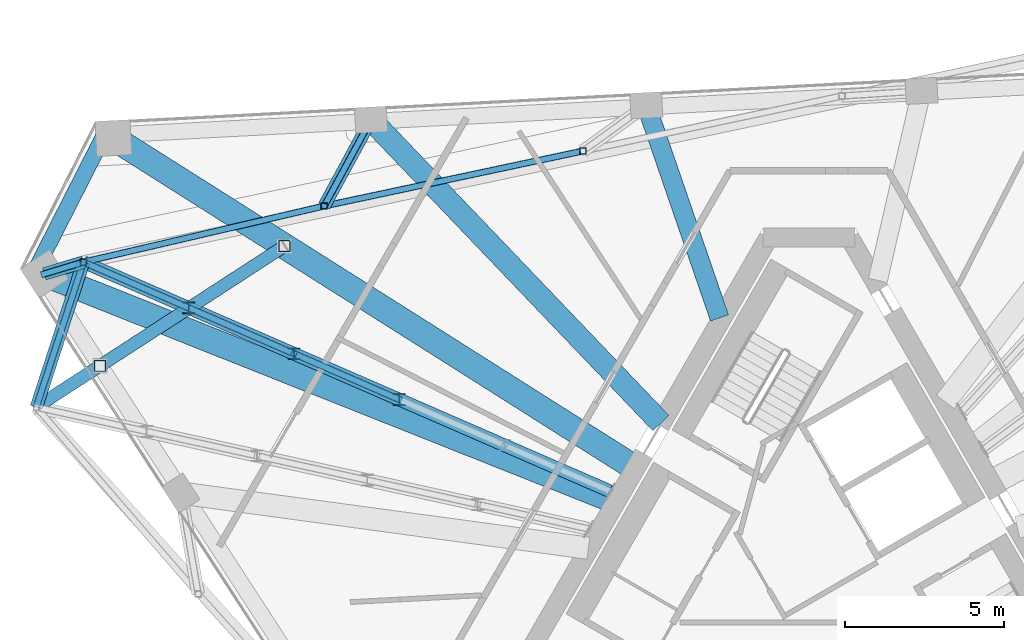
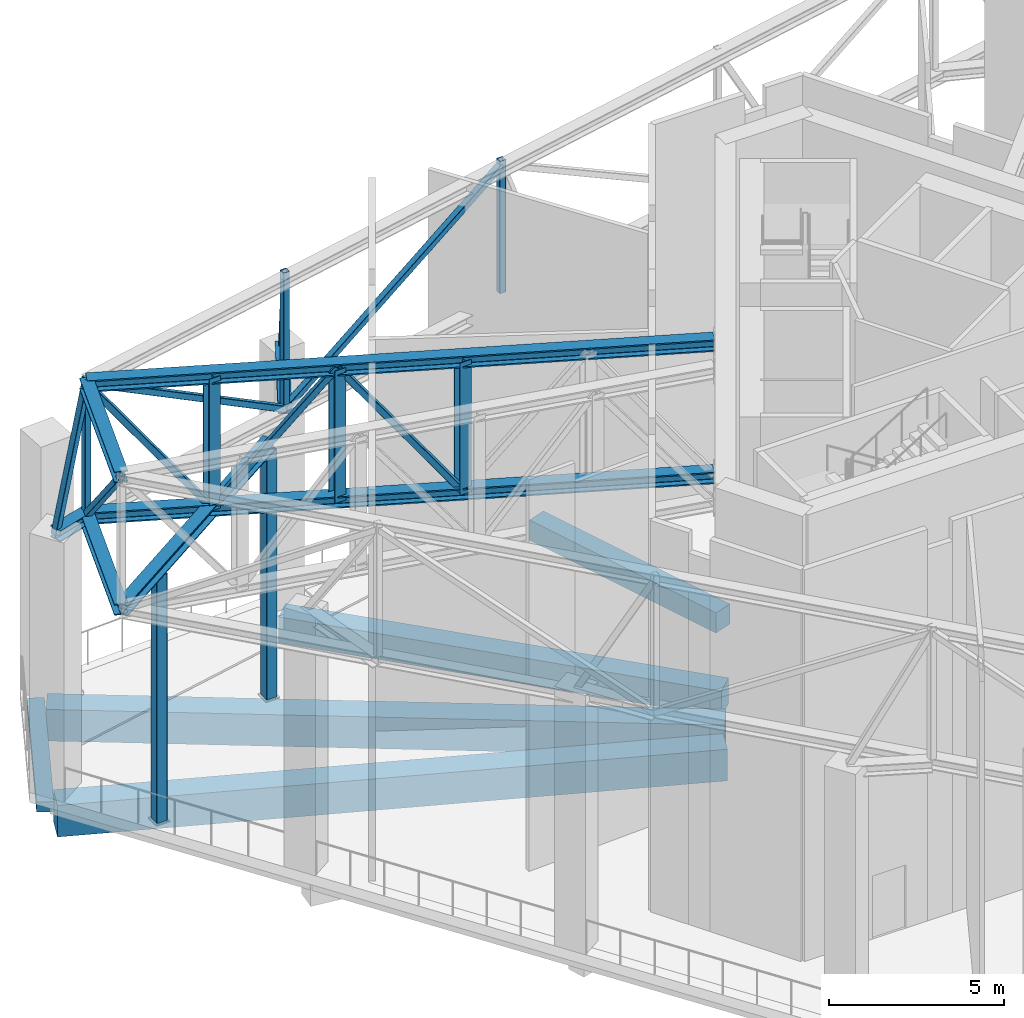
# One storey, part 11 of 23: 23 members, 5 beams.
"""IFC4 building model written with IfcOpenShell, lengths in metres."""

from ifc_helpers import new_model, si_unit, direction, frame, origin, origin_2d, place, context, subcontext, project, spatial, rectangle, hollow_rectangle, i_section, extrude, material, material_profile, profile_set, type_object, element, save


model = new_model("IFC4")

# Units and contexts
model_context = context("Model", 3, precision=1e-05, world=origin(), true_north=direction((0.0, 1.0)))
body_context = subcontext(model_context, "Body", "Model", "MODEL_VIEW")
ifc_project = project(units=[si_unit("LENGTHUNIT", "METRE"), si_unit("AREAUNIT", "SQUARE_METRE"), si_unit("VOLUMEUNIT", "CUBIC_METRE"), si_unit("PLANEANGLEUNIT", "RADIAN"), si_unit("MASSUNIT", "GRAM", prefix="KILO")], contexts=[model_context])

# Site, building, storey
site_placement = place(None, origin())
site = spatial("IfcSite", under=ifc_project, at=site_placement, CompositionType="ELEMENT")
building_placement = place(site_placement, origin())
building = spatial("IfcBuilding", under=site, at=building_placement, Name="Tramontana Tower", CompositionType="ELEMENT")
storey_placement = place(building_placement, frame((0.0, 0.0, 306.39990234375)))
storey = spatial("IfcBuildingStorey", under=building, at=storey_placement, Name="L72", CompositionType="ELEMENT", Elevation=306.39990234375)

# Members
ifc_material_1 = material(Name="Steel ASTM A500 Grade C", Category="steel")
ifc_material_profile_1 = material_profile(ifc_material_1, hollow_rectangle(XDim=0.203125, YDim=0.203125, WallThickness=0.0087890625, InnerFilletRadius=0.0087890625, OuterFilletRadius=0.017822265625, at=origin_2d()), Name="HSS8X8X3/8")
ifc_profile_set_1 = profile_set([ifc_material_profile_1], Name="Steel ASTM A500 Grade C")
member_type_1 = type_object("IfcMemberType", Name="Belt truss HSS8X8X3/8 brace", PredefinedType="BRACE", material=ifc_profile_set_1)
member_1_placement = place(storey_placement, frame((-7.1015625, 13.416748046875, 13.456298828125), z_axis=(-0.855328764764, -0.181824766836, -0.485131382548), x_axis=(0.207932507583, -0.978143175762, 0.0)))
element("IfcMember", 1, at=member_1_placement, inside=storey, type_object=member_type_1, Name="Belt truss diagonal S2.4", PredefinedType="BRACE", context=body_context, shape_type="SweptSolid", body=[
    extrude(hollow_rectangle(XDim=0.203125, YDim=0.203125, WallThickness=0.0087890625, InnerFilletRadius=0.0087890625, OuterFilletRadius=0.017822265625, at=origin_2d()), origin(), (0.0, 0.0, 1.0), 9.5078125),
])
member_2_placement = place(storey_placement, frame((-15.23388671875, 11.68798828125, 8.84375), z_axis=(-0.83736715186, -0.194947766131, 0.510697191558), x_axis=(0.226746555222, -0.973953797515, 0.0)))
element("IfcMember", 2, at=member_2_placement, inside=storey, type_object=member_type_1, Name="Belt truss diagonal S2.5", PredefinedType="BRACE", context=body_context, shape_type="SweptSolid", body=[
    extrude(hollow_rectangle(XDim=0.203125, YDim=0.203125, WallThickness=0.0087890625, InnerFilletRadius=0.0087890625, OuterFilletRadius=0.017822265625, at=origin_2d()), origin(), (0.0, 0.0, 1.0), 9.031982421875),
])
member_3_placement = place(storey_placement, frame((-22.796875, 9.92724609375, 8.84375), z_axis=(-0.222661338376, -0.685306604829, 0.693380693249), x_axis=(0.951059891484, -0.309006606418, 0.0)))
element("IfcMember", 3, at=member_3_placement, inside=storey, type_object=member_type_1, Name="Belt truss diagonal K0.1", PredefinedType="BRACE", context=body_context, shape_type="SweptSolid", body=[
    extrude(hollow_rectangle(XDim=0.203125, YDim=0.203125, WallThickness=0.0087890625, InnerFilletRadius=0.0087890625, OuterFilletRadius=0.017822265625, at=origin_2d()), origin(), (0.0, 0.0, 1.0), 6.65234375),
])
ifc_material_2 = material(Name="Steel ASTM A500 Grade C", Category="steel")
ifc_material_profile_2 = material_profile(ifc_material_2, hollow_rectangle(XDim=0.203125, YDim=0.203125, WallThickness=0.0087890625, InnerFilletRadius=0.0087890625, OuterFilletRadius=0.017822265625, at=origin_2d()), Name="HSS8X8X3/8")
ifc_profile_set_2 = profile_set([ifc_material_profile_2], Name="Steel ASTM A500 Grade C")
member_type_2 = type_object("IfcMemberType", Name="Belt truss HSS8X8X3/8 post", PredefinedType="POST", material=ifc_profile_set_2)
for number, where, z_axis, x_axis, name in (
    (4, (-7.1015625, 13.416748046875, 9.037353515625), (0.0, 0.0, 1.0), (1.0, 0.0, 0.0), "Belt truss post C8F11"),
    (5, (-15.23388671875, 11.68798828125, 9.037353515625), (0.0, 0.0, 1.0), (1.0, 0.0, 0.0), "Belt truss post C8F12"),
    (6, (-22.796875, 9.92724609375, 9.037353515625), (0.0, 0.0, 1.0), (1.0, 0.0, 0.0), "Belt truss post C8K6"),
):
    element("IfcMember", number, at=place(storey_placement, frame(where, z_axis=z_axis, x_axis=x_axis)), inside=storey, type_object=member_type_2, Name=name, PredefinedType="POST", context=body_context, shape_type="SweptSolid", body=[
        extrude(hollow_rectangle(XDim=0.203125, YDim=0.203125, WallThickness=0.0087890625, InnerFilletRadius=0.0087890625, OuterFilletRadius=0.017822265625, at=origin_2d()), origin(), (0.0, 0.0, 1.0), 4.61279296875),
    ])
ifc_material_3 = material(Name="Steel ASTM A992 Grade 50", Category="steel")
ifc_material_profile_3 = material_profile(ifc_material_3, i_section(OverallWidth=0.39697265625, OverallDepth=0.387451171875, WebThickness=0.020751953125, FlangeThickness=0.033447265625, FilletRadius=0.01513671875, at=origin_2d()), Name="W14X176")
ifc_profile_set_3 = profile_set([ifc_material_profile_3], Name="Steel ASTM A992 Grade 50")
member_type_3 = type_object("IfcMemberType", Name="Belt truss W14X176 chord", PredefinedType="CHORD", material=ifc_profile_set_3)
for number, where, z_axis, x_axis, name in (
    (7, (-22.796875, 9.92724609375, 8.84375), (-0.309006606418, -0.951059891484, 0.0), (0.951059891484, -0.309006606418, 0.0), "Belt truss bottom chord K0"),
    (8, (-22.796875, 9.92724609375, 13.456298828125), (-0.309006606418, -0.951059891484, 0.0), (0.951059891484, -0.309006606418, 0.0), "Belt truss top chord K0"),
):
    element("IfcMember", number, at=place(storey_placement, frame(where, z_axis=z_axis, x_axis=x_axis)), inside=storey, type_object=member_type_3, Name=name, PredefinedType="CHORD", context=body_context, shape_type="SweptSolid", body=[
        extrude(i_section(OverallWidth=0.39697265625, OverallDepth=0.387451171875, WebThickness=0.020751953125, FlangeThickness=0.033447265625, FilletRadius=0.01513671875, at=origin_2d()), origin(), (0.0, 0.0, 1.0), 4.79345703125),
    ])
ifc_material_4 = material(Name="Steel ASTM A500 Grade C", Category="steel")
ifc_material_profile_4 = material_profile(ifc_material_4, hollow_rectangle(XDim=0.203125, YDim=0.203125, WallThickness=0.0087890625, InnerFilletRadius=0.0087890625, OuterFilletRadius=0.017822265625, at=origin_2d()), Name="HSS8X8X3/8")
ifc_profile_set_4 = profile_set([ifc_material_profile_4], Name="Steel ASTM A500 Grade C")
member_type_4 = type_object("IfcMemberType", Name="Outrigger truss HSS8X8X3/8 brace", PredefinedType="BRACE", material=ifc_profile_set_4)
for number, where, z_axis, x_axis, name in (
    (9, (-12.87646484375, 5.610107421875, 8.84375), (-0.564756858785, 0.24580933864, 0.787799123821), (-0.399085024969, -0.916913923357, 0.0), "Outrigger truss diagonal 5.3"),
    (10, (-16.18310546875, 7.04931640625, 13.456298828125), (-0.564791044378, 0.245764371765, -0.787788645362), (-0.399003336845, -0.916949473628, 0.0), "Outrigger truss diagonal 5.4"),
    (11, (-19.489990234375, 8.48828125, 8.84375), (-0.564791044378, 0.245764371765, 0.787788645362), (-0.399003336845, -0.916949473628, 0.0), "Outrigger truss diagonal 5.5"),
):
    element("IfcMember", number, at=place(storey_placement, frame(where, z_axis=z_axis, x_axis=x_axis)), inside=storey, type_object=member_type_4, Name=name, PredefinedType="BRACE", context=body_context, shape_type="SweptSolid", body=[
        extrude(hollow_rectangle(XDim=0.203125, YDim=0.203125, WallThickness=0.0087890625, InnerFilletRadius=0.0087890625, OuterFilletRadius=0.017822265625, at=origin_2d()), origin(), (0.0, 0.0, 1.0), 5.85498046875),
    ])
ifc_material_5 = material(Name="Steel ASTM A992 Grade 50", Category="steel")
ifc_material_profile_5 = material_profile(ifc_material_5, i_section(OverallWidth=0.4033203125, OverallDepth=0.406494140625, WebThickness=0.027099609375, FlangeThickness=0.04443359375, FilletRadius=0.01513671875, at=origin_2d()), Name="W14X233")
ifc_profile_set_5 = profile_set([ifc_material_profile_5], Name="Steel ASTM A992 Grade 50")
member_type_5 = type_object("IfcMemberType", Name="Outrigger truss W14X233 chord", PredefinedType="CHORD", material=ifc_profile_set_5)
for number, where, z_axis, x_axis, name in (
    (12, (-6.262939453125, 2.732177734375, 8.84375), (-0.916940208616, 0.39902462809, 0.0), (-0.39902462809, -0.916940208616, 0.0), "Outrigger truss bottom chord 5"),
    (13, (-6.262939453125, 2.732177734375, 13.456298828125), (-0.916940208616, 0.39902462809, 0.0), (-0.39902462809, -0.916940208616, 0.0), "Outrigger truss top chord 5"),
):
    element("IfcMember", number, at=place(storey_placement, frame(where, z_axis=z_axis, x_axis=x_axis)), inside=storey, type_object=member_type_5, Name=name, PredefinedType="CHORD", context=body_context, shape_type="SweptSolid", body=[
        extrude(i_section(OverallWidth=0.4033203125, OverallDepth=0.406494140625, WebThickness=0.027099609375, FlangeThickness=0.04443359375, FilletRadius=0.01513671875, at=origin_2d()), origin(), (0.0, 0.0, 1.0), 18.03173828125),
    ])
ifc_material_6 = material(Name="Steel ASTM A992 Grade 50", Category="steel")
ifc_material_profile_6 = material_profile(ifc_material_6, i_section(OverallWidth=0.368408203125, OverallDepth=0.355712890625, WebThickness=0.01123046875, FlangeThickness=0.017578125, FilletRadius=0.01513671875, at=origin_2d()), Name="W14X90")
ifc_profile_set_6 = profile_set([ifc_material_profile_6], Name="Steel ASTM A992 Grade 50")
member_type_6 = type_object("IfcMemberType", Name="Outrigger truss W14X90 post", PredefinedType="POST", material=ifc_profile_set_6)
for number, where, z_axis, x_axis, name in (
    (14, (-12.87646484375, 5.610107421875, 8.84375), (0.0, 0.0, 1.0), (1.0, 0.0, 0.0), "Outrigger truss post 5.2"),
    (15, (-16.18310546875, 7.04931640625, 8.84375), (0.0, 0.0, 1.0), (1.0, 0.0, 0.0), "Outrigger truss post 5.3"),
    (16, (-19.489990234375, 8.48828125, 8.84375), (0.0, 0.0, 1.0), (1.0, 0.0, 0.0), "Outrigger truss post 5.4"),
):
    element("IfcMember", number, at=place(storey_placement, frame(where, z_axis=z_axis, x_axis=x_axis)), inside=storey, type_object=member_type_6, Name=name, PredefinedType="POST", context=body_context, shape_type="SweptSolid", body=[
        extrude(i_section(OverallWidth=0.368408203125, OverallDepth=0.355712890625, WebThickness=0.01123046875, FlangeThickness=0.017578125, FilletRadius=0.01513671875, at=origin_2d()), origin(), (0.0, 0.0, 1.0), 4.612548828125),
    ])

# Beams
ifc_material_7 = material(Name="Concrete 40 MPa", Category="concrete")
ifc_material_profile_7 = material_profile(ifc_material_7, rectangle(XDim=0.5, YDim=0.35009765625, at=origin_2d()), Name="RC EDGE BEAM 500X350 40 MPa")
ifc_profile_set_7 = profile_set([ifc_material_profile_7], Name="Concrete 40 MPa")
beam_type_1 = type_object("IfcBeamType", Name="RC EDGE BEAM 500X350 40 MPa", PredefinedType="SPANDREL", material=ifc_profile_set_7)
beam_1_placement = place(storey_placement, frame((-22.03125, 14.141357421875, -0.52490234375), z_axis=(-0.453966603753, -0.891018699398, 0.0), x_axis=(0.891018699398, -0.453966603753, 0.0)))
element("IfcBeam", 17, at=beam_1_placement, inside=storey, type_object=beam_type_1, Name="Spandrel beam K0 L72", PredefinedType="SPANDREL", context=body_context, shape_type="SweptSolid", body=[
    extrude(rectangle(XDim=0.5, YDim=0.35009765625, at=origin_2d()), origin(), (0.0, 0.0, 1.0), 5.1962890625),
])
ifc_material_8 = material(Name="Concrete 40 MPa", Category="concrete")
ifc_material_profile_8 = material_profile(ifc_material_8, rectangle(XDim=0.60009765625, YDim=0.699951171875, at=origin_2d()), Name="RC GIRDER 600X700 40 MPa")
ifc_profile_set_8 = profile_set([ifc_material_profile_8], Name="Concrete 40 MPa")
beam_type_2 = type_object("IfcBeamType", Name="RC GIRDER 600X700 40 MPa", PredefinedType="BEAM", material=ifc_profile_set_8)
beam_2_placement = place(storey_placement, frame((-5.114501953125, 14.852783203125, -0.699951171875), z_axis=(0.325583843266, -0.945513173364, 0.0), x_axis=(0.945513173364, 0.325583843266, 0.0)))
element("IfcBeam", 18, at=beam_2_placement, inside=storey, type_object=beam_type_2, Name="Radial girder C7F11 L72", PredefinedType="BEAM", context=body_context, shape_type="SweptSolid", body=[
    extrude(rectangle(XDim=0.60009765625, YDim=0.699951171875, at=origin_2d()), origin(), (0.0, 0.0, 1.0), 7.065185546875),
])
ifc_material_9 = material(Name="Concrete 40 MPa", Category="concrete")
ifc_material_profile_9 = material_profile(ifc_material_9, rectangle(XDim=0.699951171875, YDim=0.89990234375, at=origin_2d()), Name="RC GIRDER 700X900 40 MPa")
ifc_profile_set_9 = profile_set([ifc_material_profile_9], Name="Concrete 40 MPa")
beam_type_3 = type_object("IfcBeamType", Name="RC GIRDER 700X900 40 MPa", PredefinedType="BEAM", material=ifc_profile_set_9)
beam_3_placement = place(storey_placement, frame((-13.762939453125, 14.3994140625, -0.7998046875), z_axis=(0.69094809316, -0.722904373039, 0.0), x_axis=(0.722904373039, 0.69094809316, 0.0)))
element("IfcBeam", 19, at=beam_3_placement, inside=storey, type_object=beam_type_3, Name="Radial girder C7F12 L72", PredefinedType="BEAM", context=body_context, shape_type="SweptSolid", body=[
    extrude(rectangle(XDim=0.699951171875, YDim=0.89990234375, at=origin_2d()), origin(), (0.0, 0.0, 1.0), 13.186279296875),
])
ifc_material_10 = material(Name="Concrete 40 MPa", Category="concrete")
ifc_material_profile_10 = material_profile(ifc_material_10, rectangle(XDim=0.800048828125, YDim=1.10009765625, at=origin_2d()), Name="RC GIRDER 800X1100 40 MPa")
ifc_profile_set_10 = profile_set([ifc_material_profile_10], Name="Concrete 40 MPa")
beam_type_4 = type_object("IfcBeamType", Name="RC GIRDER 800X1100 40 MPa", PredefinedType="BEAM", material=ifc_profile_set_10)
beam_4_placement = place(storey_placement, frame((-24.030517578125, 9.55419921875, -0.89990234375), z_axis=(0.929246961318, -0.369459178912, 0.0), x_axis=(0.369459178912, 0.929246961318, 0.0)))
element("IfcBeam", 20, at=beam_4_placement, inside=storey, type_object=beam_type_4, Name="Radial girder C7K1 L72", PredefinedType="BEAM", context=body_context, shape_type="SweptSolid", body=[
    extrude(rectangle(XDim=0.800048828125, YDim=1.10009765625, at=origin_2d()), origin(), (0.0, 0.0, 1.0), 19.33837890625),
])
beam_5_placement = place(storey_placement, frame((-21.85400390625, 13.8251953125, -0.89990234375), z_axis=(0.845090437102, -0.53462337502, 0.0), x_axis=(0.53462337502, 0.845090437102, 0.0)))
element("IfcBeam", 21, at=beam_5_placement, inside=storey, type_object=beam_type_4, Name="Radial girder C7K6 L72", PredefinedType="BEAM", context=body_context, shape_type="SweptSolid", body=[
    extrude(rectangle(XDim=0.800048828125, YDim=1.10009765625, at=origin_2d()), origin(), (0.0, 0.0, 1.0), 19.404296875),
])

# Members
ifc_material_11 = material(Name="Steel ASTM A500 Grade C", Category="steel")
ifc_material_profile_11 = material_profile(ifc_material_11, hollow_rectangle(XDim=0.355712890625, YDim=0.355712890625, WallThickness=0.01171875, InnerFilletRadius=0.01171875, OuterFilletRadius=0.023681640625, at=origin_2d()), Name="HSS14X14X1/2")
ifc_profile_set_11 = profile_set([ifc_material_profile_11], Name="Steel ASTM A500 Grade C")
member_type_7 = type_object("IfcMemberType", Name="Transfer truss HSS14X14X1/2 post", PredefinedType="POST", material=ifc_profile_set_11)
for number, where, z_axis, x_axis, name in (
    (22, (-22.275634765625, 6.668701171875, 0.0400390625), (0.0, 0.0, 1.0), (1.0, 0.0, 0.0), "Transfer truss post C8K1.1"),
    (23, (-16.4853515625, 10.428955078125, 0.0400390625), (0.0, 0.0, 1.0), (1.0, 0.0, 0.0), "Transfer truss post C8K1.2"),
):
    element("IfcMember", number, at=place(storey_placement, frame(where, z_axis=z_axis, x_axis=x_axis)), inside=storey, type_object=member_type_7, Name=name, PredefinedType="POST", context=body_context, shape_type="SweptSolid", body=[
        extrude(hollow_rectangle(XDim=0.355712890625, YDim=0.355712890625, WallThickness=0.01171875, InnerFilletRadius=0.01171875, OuterFilletRadius=0.023681640625, at=origin_2d()), origin(), (0.0, 0.0, 1.0), 8.610107421875),
    ])
ifc_material_12 = material(Name="Steel ASTM A500 Grade C", Category="steel")
ifc_material_profile_12 = material_profile(ifc_material_12, hollow_rectangle(XDim=0.203125, YDim=0.203125, WallThickness=0.0087890625, InnerFilletRadius=0.0087890625, OuterFilletRadius=0.017822265625, at=origin_2d()), Name="HSS8X8X3/8")
ifc_profile_set_12 = profile_set([ifc_material_profile_12], Name="Steel ASTM A500 Grade C")
member_type_8 = type_object("IfcMemberType", Name="Transfer truss HSS8X8X3/8 brace", PredefinedType="BRACE", material=ifc_profile_set_12)
member_4_placement = place(storey_placement, frame((-13.762939453125, 14.3994140625, 8.84375), z_axis=(-0.265084505712, -0.488635439077, 0.831243413513), x_axis=(0.878985190151, -0.476849069932, 0.0)))
element("IfcMember", 24, at=member_4_placement, inside=storey, type_object=member_type_8, Name="Transfer truss strut C8F12 diagonal", PredefinedType="BRACE", context=body_context, shape_type="SweptSolid", body=[
    extrude(hollow_rectangle(XDim=0.203125, YDim=0.203125, WallThickness=0.0087890625, InnerFilletRadius=0.0087890625, OuterFilletRadius=0.017822265625, at=origin_2d()), origin(), (0.0, 0.0, 1.0), 5.549072265625),
])
member_5_placement = place(storey_placement, frame((-24.030517578125, 9.55419921875, 8.84375), z_axis=(0.257587276288, 0.077893005772, 0.963110312865), x_axis=(-0.289450047167, 0.957193120637, 0.0)))
element("IfcMember", 25, at=member_5_placement, inside=storey, type_object=member_type_8, Name="Transfer truss strut C8K6 diagonal", PredefinedType="BRACE", context=body_context, shape_type="SweptSolid", body=[
    extrude(hollow_rectangle(XDim=0.203125, YDim=0.203125, WallThickness=0.0087890625, InnerFilletRadius=0.0087890625, OuterFilletRadius=0.017822265625, at=origin_2d()), origin(), (0.0, 0.0, 1.0), 4.789306640625),
])
ifc_material_13 = material(Name="Steel ASTM A992 Grade 50", Category="steel")
ifc_material_profile_13 = material_profile(ifc_material_13, i_section(OverallWidth=0.39697265625, OverallDepth=0.387451171875, WebThickness=0.020751953125, FlangeThickness=0.033447265625, FilletRadius=0.01513671875, at=origin_2d()), Name="W14X176")
ifc_profile_set_13 = profile_set([ifc_material_profile_13], Name="Steel ASTM A992 Grade 50")
member_type_9 = type_object("IfcMemberType", Name="Transfer truss W14X176 chord", PredefinedType="CHORD", material=ifc_profile_set_13)
member_6_placement = place(storey_placement, frame((-24.278076171875, 5.368408203125, 8.84375), z_axis=(0.83867586029, 0.544630885432, 0.0), x_axis=(-0.544630885432, 0.83867586029, 0.0)))
element("IfcMember", 26, at=member_6_placement, inside=storey, type_object=member_type_9, Name="Transfer truss girder C8K1", PredefinedType="CHORD", context=body_context, shape_type="SweptSolid", body=[
    extrude(i_section(OverallWidth=0.39697265625, OverallDepth=0.387451171875, WebThickness=0.020751953125, FlangeThickness=0.033447265625, FilletRadius=0.01513671875, at=origin_2d()), origin(), (0.0, 0.0, 1.0), 9.291748046875),
])
ifc_material_14 = material(Name="Steel ASTM A992 Grade 50", Category="steel")
ifc_material_profile_14 = material_profile(ifc_material_14, i_section(OverallWidth=0.39697265625, OverallDepth=0.387451171875, WebThickness=0.020751953125, FlangeThickness=0.033447265625, FilletRadius=0.01513671875, at=origin_2d()), Name="W14X176")
ifc_profile_set_14 = profile_set([ifc_material_profile_14], Name="Steel ASTM A992 Grade 50")
member_type_10 = type_object("IfcMemberType", Name="Transfer truss W14X176 strut", PredefinedType="STRUT", material=ifc_profile_set_14)
member_7_placement = place(storey_placement, frame((-13.762939453125, 14.3994140625, 8.84375), z_axis=(-0.476849069932, -0.878985190151, 0.0), x_axis=(0.878985190151, -0.476849069932, 0.0)))
element("IfcMember", 27, at=member_7_placement, inside=storey, type_object=member_type_10, Name="Transfer truss strut C8F12 bottom", PredefinedType="STRUT", context=body_context, shape_type="SweptSolid", body=[
    extrude(i_section(OverallWidth=0.39697265625, OverallDepth=0.387451171875, WebThickness=0.020751953125, FlangeThickness=0.033447265625, FilletRadius=0.01513671875, at=origin_2d()), origin(), (0.0, 0.0, 1.0), 3.084716796875),
])
member_8_placement = place(storey_placement, frame((-24.030517578125, 9.55419921875, 8.84375), z_axis=(0.957193120637, 0.289450047167, 0.0), x_axis=(-0.289450047167, 0.957193120637, 0.0)))
element("IfcMember", 28, at=member_8_placement, inside=storey, type_object=member_type_10, Name="Transfer truss strut C8K6 bottom", PredefinedType="STRUT", context=body_context, shape_type="SweptSolid", body=[
    extrude(i_section(OverallWidth=0.39697265625, OverallDepth=0.387451171875, WebThickness=0.020751953125, FlangeThickness=0.033447265625, FilletRadius=0.01513671875, at=origin_2d()), origin(), (0.0, 0.0, 1.0), 1.288818359375),
])

save(model, "model.ifc")
